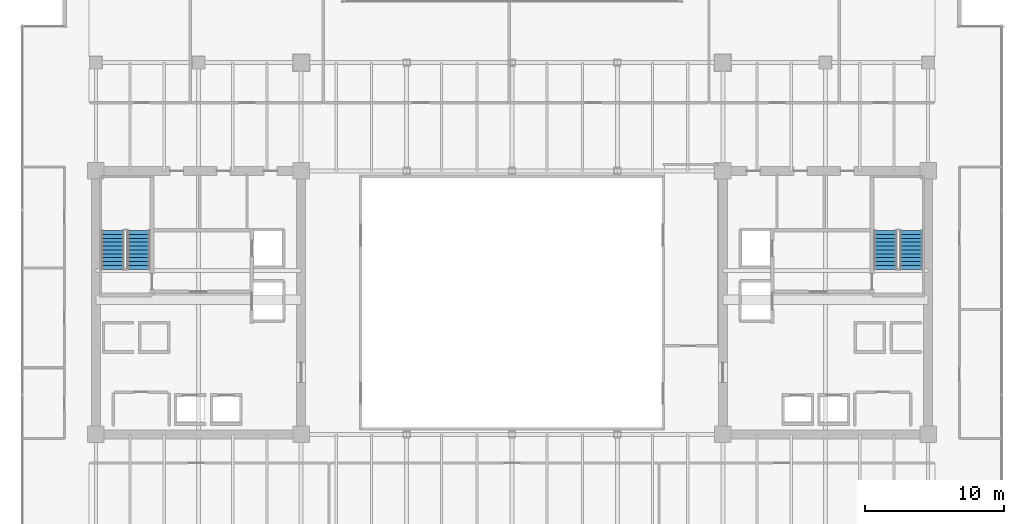
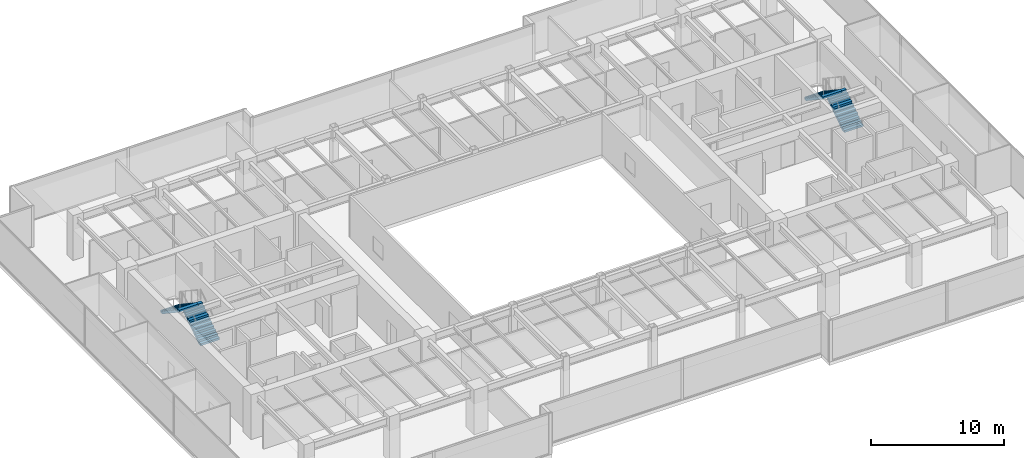
# One storey, part 29 of 33: 4 stair flights, 2 elements without a shape of their own.
"""IFC4 building model written with IfcOpenShell, lengths in metres."""

from ifc_helpers import new_model, si_unit, direction, frame, origin, place, context, subcontext, project, spatial, polyline, outline, extrude, source, transform, mapped, material, type_object, type_shapes, element, aggregate, save


model = new_model("IFC4")

# Units and contexts
model_context = context("Model", 3, precision=1e-05, world=origin(), true_north=direction((0.0, 1.0)))
body_context = subcontext(model_context, "Body", "Model", "MODEL_VIEW")
ifc_project = project(units=[si_unit("LENGTHUNIT", "METRE"), si_unit("AREAUNIT", "SQUARE_METRE"), si_unit("VOLUMEUNIT", "CUBIC_METRE"), si_unit("PLANEANGLEUNIT", "RADIAN"), si_unit("MASSUNIT", "GRAM", prefix="KILO")], contexts=[model_context])

# Site, building, storey
site_placement = place(None, origin())
site = spatial("IfcSite", under=ifc_project, at=site_placement, CompositionType="ELEMENT")
building_placement = place(site_placement, origin())
building = spatial("IfcBuilding", under=site, at=building_placement, Name="Haelvirn Gate Laboratories", CompositionType="ELEMENT")
storey_placement = place(building_placement, frame((0.0, 0.0, 133.800048828125)))
storey = spatial("IfcBuildingStorey", under=building, at=storey_placement, Name="L32", CompositionType="ELEMENT", Elevation=133.800048828125)

# Stair, stair flights
ifc_material = material(Name="Concrete C40/50", Category="concrete")
stair_type = type_object("IfcStairType", Name="ST-DOG-1650-R22", PredefinedType="HALF_TURN_STAIR", material=ifc_material)
stair_1_placement = place(storey_placement, origin())
stair_1 = element("IfcStair", 1, at=stair_1_placement, inside=storey, type_object=stair_type, Name="L32 Escape Stair ST1", PredefinedType="HALF_TURN_STAIR")
stair_flight_type = type_object("IfcStairFlightType", Name="STF-1650-R11", PredefinedType="STRAIGHT", material=ifc_material)
shared_shape = source(origin(), body_context, "Body", "SweptSolid", [
    extrude(outline(polyline([(0.0, 0.0), (0.0, 0.186279296875), (0.280029296875, 0.186279296875), (0.280029296875, 0.372802734375), (0.56005859375, 0.372802734375), (0.56005859375, 0.55908203125), (0.840087890625, 0.55908203125), (0.840087890625, 0.745361328125), (1.1201171875, 0.745361328125), (1.1201171875, 0.931884765625), (1.39990234375, 0.931884765625), (1.39990234375, 1.1181640625), (1.679931640625, 1.1181640625), (1.679931640625, 1.304443359375), (1.9599609375, 1.304443359375), (1.9599609375, 1.490966796875), (2.239990234375, 1.490966796875), (2.239990234375, 1.67724609375), (2.52001953125, 1.67724609375), (2.52001953125, 1.863525390625), (2.800048828125, 1.863525390625), (2.800048828125, 2.050048828125), (2.800048828125, 1.671630859375), (0.28857421875, 0.0), (0.0, 0.0)])), frame((0.0, 0.824951171875, 0.0), z_axis=(0.0, -1.0, 0.0), x_axis=(1.0, 0.0, 0.0)), (0.0, 0.0, 1.0), 1.64990234375),
])
type_shapes(stair_flight_type, [shared_shape])
stair_flight_1_placement = place(storey_placement, frame((10.47509765625, 26.699951171875, 0.0), z_axis=(0.0, 0.0, 1.0), x_axis=(0.0, 1.0, 0.0)))
stair_flight_1 = element("IfcStairFlight", 2, at=stair_flight_1_placement, type_object=stair_flight_type, Name="ST1 flight 1", NumberOfRisers=11, NumberOfTreads=10, PredefinedType="STRAIGHT", RiserHeight=0.186363636, TreadLength=0.28, context=body_context, shape_type="MappedRepresentation", body=[
    mapped(shared_shape, transform((0.0, 0.0, 0.0), scale=1.0)),
])
stair_flight_2_placement = place(storey_placement, frame((8.625, 29.5, 2.050048828125), z_axis=(0.0, 0.0, 1.0), x_axis=(0.0, -1.0, 0.0)))
stair_flight_2 = element("IfcStairFlight", 3, at=stair_flight_2_placement, type_object=stair_flight_type, Name="ST1 flight 2", NumberOfRisers=11, NumberOfTreads=10, PredefinedType="STRAIGHT", RiserHeight=0.186363636, TreadLength=0.28, context=body_context, shape_type="MappedRepresentation", body=[
    mapped(shared_shape, transform((0.0, 0.0, 0.0), scale=1.0)),
])
aggregate(stair_1, [stair_flight_1, stair_flight_2])

stair_2_placement = place(storey_placement, origin())
stair_2 = element("IfcStair", 4, at=stair_2_placement, inside=storey, type_object=stair_type, Name="L32 Escape Stair ST2", PredefinedType="HALF_TURN_STAIR")
stair_flight_3_placement = place(storey_placement, frame((66.175048828125, 26.699951171875, 0.0), z_axis=(0.0, 0.0, 1.0), x_axis=(0.0, 1.0, 0.0)))
stair_flight_3 = element("IfcStairFlight", 5, at=stair_flight_3_placement, type_object=stair_flight_type, Name="ST2 flight 1", NumberOfRisers=11, NumberOfTreads=10, PredefinedType="STRAIGHT", RiserHeight=0.186363636, TreadLength=0.28, context=body_context, shape_type="MappedRepresentation", body=[
    mapped(shared_shape, transform((0.0, 0.0, 0.0), scale=1.0)),
])
stair_flight_4_placement = place(storey_placement, frame((64.324951171875, 29.5, 2.050048828125), z_axis=(0.0, 0.0, 1.0), x_axis=(0.0, -1.0, 0.0)))
stair_flight_4 = element("IfcStairFlight", 6, at=stair_flight_4_placement, type_object=stair_flight_type, Name="ST2 flight 2", NumberOfRisers=11, NumberOfTreads=10, PredefinedType="STRAIGHT", RiserHeight=0.186363636, TreadLength=0.28, context=body_context, shape_type="MappedRepresentation", body=[
    mapped(shared_shape, transform((0.0, 0.0, 0.0), scale=1.0)),
])
aggregate(stair_2, [stair_flight_3, stair_flight_4])

save(model, "model.ifc")
